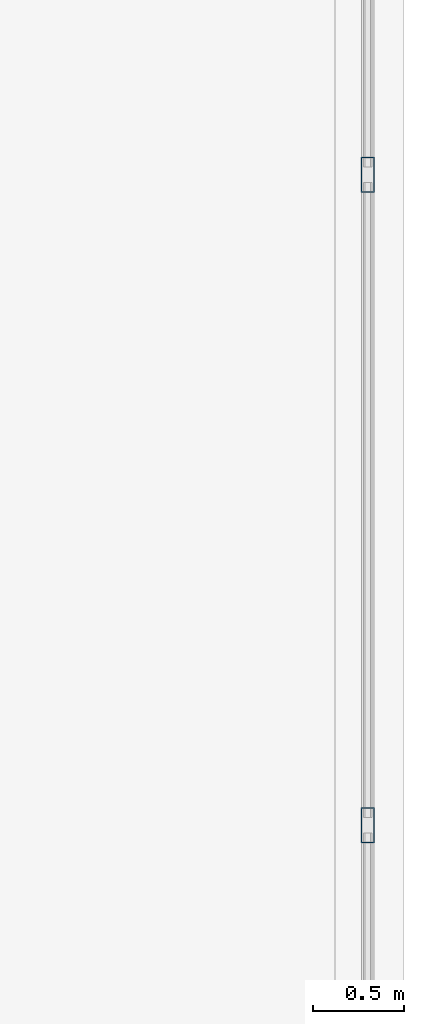
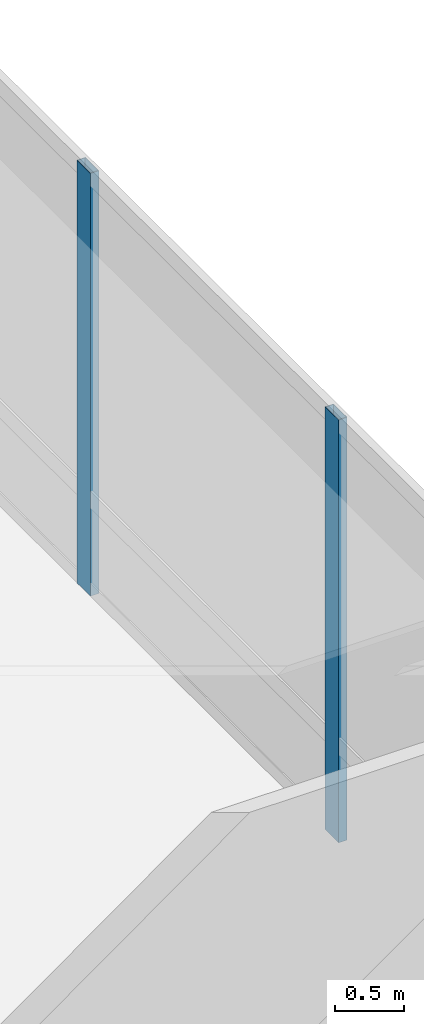
# One storey, part 16 of 35: 2 members, 1 element without a shape of its own.
"""IFC4 building model written with IfcOpenShell, lengths in metres."""

import ifcopenshell
import ifcopenshell.guid

model = None  # the IFC model being written
_history = None  # IfcOwnerHistory: only IFC2X3 demands one
_inside = {}  # id of a spatial element -> (the spatial element, [elements in it])
_under = {}  # id of a project, library or spatial element -> (it, [spatial elements below it])
_declared = {}  # id of a project -> (the project, [libraries it declares])
_typed = {}  # id of a type object -> (the type object, [elements of that type])
_made_of = {}  # id of a material, layer set ... -> (it, [elements and type objects made of it])


def new_model(schema):
    """Start an empty IFC model of exactly this schema.

    Asked for "IFC4X3", IfcOpenShell would pick the latest addendum, in which some entities
    have other attributes; the version numbers below select the first issue.
    IFC2X3 requires an IfcOwnerHistory on every rooted entity: one is made here for all.
    """
    global model, _history
    if schema == "IFC4X3":
        model = ifcopenshell.file(schema_version=(4, 3, 0, 0))
    else:
        model = ifcopenshell.file(schema=schema)
    _inside.clear()
    _under.clear()
    _declared.clear()
    _typed.clear()
    _made_of.clear()
    _history = None
    if model.schema == "IFC2X3":
        org = make("IfcOrganization", Name="unknown")
        user = make(
            "IfcPersonAndOrganization",
            ThePerson=make("IfcPerson", FamilyName="unknown"),
            TheOrganization=org,
        )
        app = make(
            "IfcApplication",
            ApplicationDeveloper=org,
            Version="unknown",
            ApplicationFullName="unknown",
            ApplicationIdentifier="unknown",
        )
        _history = make(
            "IfcOwnerHistory",
            OwningUser=user,
            OwningApplication=app,
            ChangeAction="ADDED",
            CreationDate=0,
        )
    return model


def make(cls, **values):
    """One entity of the class cls with the attributes given. An attribute that is None is left unset."""
    return model.create_entity(
        cls, **{name: value for name, value in values.items() if value is not None}
    )


def rooted(cls, **values):
    """An entity with a GlobalId (a new one), such as an element, a storey or a relation."""
    return make(cls, GlobalId=ifcopenshell.guid.new(), OwnerHistory=_history, **values)


def si_unit(unit_type, name, prefix=None):
    """IfcSIUnit, for example si_unit("LENGTHUNIT", "METRE", prefix="MILLI")."""
    return make("IfcSIUnit", UnitType=unit_type, Prefix=prefix, Name=name)


def assignment(units):
    """IfcUnitAssignment: the units of a project."""
    return None if units is None else make("IfcUnitAssignment", Units=units)


def point(xyz):
    """IfcCartesianPoint."""
    return None if xyz is None else make("IfcCartesianPoint", Coordinates=xyz)


def direction(xyz):
    """IfcDirection."""
    return None if xyz is None else make("IfcDirection", DirectionRatios=xyz)


def frame(location, z_axis=None, x_axis=None):
    """IfcAxis2Placement3D, a coordinate frame: its origin and axes. An axis left out is left unset."""
    return make(
        "IfcAxis2Placement3D",
        Location=point(location),
        Axis=direction(z_axis),
        RefDirection=direction(x_axis),
    )


def frame_2d(location, x_axis=None):
    """IfcAxis2Placement2D, a coordinate frame in the plane: its origin and x axis."""
    return make(
        "IfcAxis2Placement2D", Location=point(location), RefDirection=direction(x_axis)
    )


def origin():
    """The frame at (0, 0, 0) with its axes left unset."""
    return frame((0.0, 0.0, 0.0))


def origin_2d():
    """The frame at (0, 0) in the plane with its x axis left unset."""
    return frame_2d((0.0, 0.0))


def place(relative_to, where):
    """IfcLocalPlacement: puts the frame where relative to a parent placement (None: the world)."""
    return make(
        "IfcLocalPlacement", PlacementRelTo=relative_to, RelativePlacement=where
    )


def context(
    kind, dimensions, precision=None, world=None, true_north=None, identifier=None
):
    """IfcGeometricRepresentationContext, for example the 3D "Model" context."""
    return make(
        "IfcGeometricRepresentationContext",
        ContextIdentifier=identifier,
        ContextType=kind,
        CoordinateSpaceDimension=dimensions,
        Precision=precision,
        WorldCoordinateSystem=world,
        TrueNorth=true_north,
    )


def subcontext(parent, identifier, kind, view, scale=None):
    """IfcGeometricRepresentationSubContext, for example "Body" below "Model"."""
    return make(
        "IfcGeometricRepresentationSubContext",
        ContextIdentifier=identifier,
        ContextType=kind,
        ParentContext=parent,
        TargetScale=scale,
        TargetView=view,
    )


def project(units=None, contexts=None):
    """IfcProject with its units and contexts."""
    return rooted(
        "IfcProject",
        Name="project",
        RepresentationContexts=contexts,
        UnitsInContext=assignment(units),
    )


def spatial(cls, under=None, at=None, **own):
    """A site, building, storey or space (cls), placed at a placement, below another one or the project."""
    s = rooted(cls, ObjectPlacement=at, **own)
    if under is not None:
        _under.setdefault(under.id(), (under, []))[1].append(s)
    return s


def profile(cls, at=None, kind="AREA", **sizes):
    """A parametric profile (cls). Its sizes go by their IFC names, for example OverallWidth=200.0."""
    return make(cls, ProfileType=kind, Position=at, **sizes)


def hollow_rectangle(**sizes):
    """IfcRectangleHollowProfileDef."""
    return profile("IfcRectangleHollowProfileDef", **sizes)


def extrude(swept, where, along, depth):
    """IfcExtrudedAreaSolid: the profile swept, set in the frame where, extruded along a direction by depth."""
    return make(
        "IfcExtrudedAreaSolid",
        SweptArea=swept,
        Position=where,
        ExtrudedDirection=direction(along),
        Depth=depth,
    )


def shape(context_of_items, identifier, shape_type, items):
    """IfcShapeRepresentation: the items that make up one representation, for example the "Body"."""
    return make(
        "IfcShapeRepresentation",
        ContextOfItems=context_of_items,
        RepresentationIdentifier=identifier,
        RepresentationType=shape_type,
        Items=items,
    )


def material(Name=None, Category=None):
    """IfcMaterial."""
    return make("IfcMaterial", Name=Name, Category=Category)


def material_profile(
    of_material, cross_section, Name=None, Category=None, Priority=None
):
    """IfcMaterialProfile: a cross section and its material."""
    return make(
        "IfcMaterialProfile",
        Name=Name,
        Material=of_material,
        Profile=cross_section,
        Priority=Priority,
        Category=Category,
    )


def profile_set(profiles, Name=None, composite=None):
    """IfcMaterialProfileSet."""
    return make(
        "IfcMaterialProfileSet",
        Name=Name,
        MaterialProfiles=profiles,
        CompositeProfile=composite,
    )


def made_of(thing, what):
    """Note that an element or type object is made of a material, layer set ...; save() writes the relation."""
    if what is not None:
        _made_of.setdefault(what.id(), (what, []))[1].append(thing)
    return thing


def type_object(cls, material=None, **own):
    """A type object (cls), such as IfcWallType, which elements share."""
    return made_of(rooted(cls, **own), material)


def element(
    cls,
    number,
    at=None,
    inside=None,
    cuts=None,
    type_object=None,
    material=None,
    context=None,
    identifier="Body",
    shape_type=None,
    held_by="IfcProductDefinitionShape",
    body=None,
    shapes=None,
    **own,
):
    """One element of the class cls, such as IfcWall. Its Tag is "e" and its number.

    at: its placement. inside: the storey or other place that contains it. cuts: it is an
    opening in that element (IfcRelVoidsElement). A single representation is given by context,
    identifier, shape_type and body (its items); several are given by shapes. held_by: the class
    of the entity that holds the representations. save() writes the other relations.
    """
    e = rooted(cls, Tag="e%d" % number, ObjectPlacement=at, **own)
    if body is not None:
        shapes = [shape(context, identifier, shape_type, body)]
    if shapes is not None:
        e.Representation = make(held_by, Representations=shapes)
    if inside is not None:
        _inside.setdefault(inside.id(), (inside, []))[1].append(e)
    if cuts is not None:
        rooted(
            "IfcRelVoidsElement", RelatingBuildingElement=cuts, RelatedOpeningElement=e
        )
    if type_object is not None:
        _typed.setdefault(type_object.id(), (type_object, []))[1].append(e)
    return made_of(e, material)


def aggregate(whole, parts):
    """IfcRelAggregates: a whole, such as a stair, and the parts it consists of."""
    return rooted("IfcRelAggregates", RelatingObject=whole, RelatedObjects=parts)


def save(model, path):
    """Write the relations noted so far, then the file.

    IfcRelAggregates (storeys below a building ...), IfcRelContainedInSpatialStructure (elements
    in a storey), IfcRelDefinesByType, IfcRelAssociatesMaterial and IfcRelDeclares: one each for
    every whole, place, type object, material and project.
    """
    for whole, parts in _under.values():
        aggregate(whole, parts)
    for where, things in _inside.values():
        rooted(
            "IfcRelContainedInSpatialStructure",
            RelatedElements=things,
            RelatingStructure=where,
        )
    for kind, things in _typed.values():
        rooted("IfcRelDefinesByType", RelatedObjects=things, RelatingType=kind)
    for what, things in _made_of.values():
        rooted("IfcRelAssociatesMaterial", RelatedObjects=things, RelatingMaterial=what)
    for by, libraries in _declared.values():
        rooted("IfcRelDeclares", RelatingContext=by, RelatedDefinitions=libraries)
    model.write(path)


model = new_model("IFC4")

# Units and contexts
model_context = context("Model", 3, precision=1e-05, world=origin(), true_north=direction((0.0, 1.0)))
body_context = subcontext(model_context, "Body", "Model", "MODEL_VIEW")
ifc_project = project(units=[si_unit("LENGTHUNIT", "METRE"), si_unit("AREAUNIT", "SQUARE_METRE"), si_unit("VOLUMEUNIT", "CUBIC_METRE"), si_unit("PLANEANGLEUNIT", "RADIAN"), si_unit("MASSUNIT", "GRAM", prefix="KILO")], contexts=[model_context])

# Site, building, storey
site_placement = place(None, origin())
site = spatial("IfcSite", under=ifc_project, at=site_placement, CompositionType="ELEMENT")
building_placement = place(site_placement, origin())
building = spatial("IfcBuilding", under=site, at=building_placement, Name="Punatoya Terracotta Tower", CompositionType="ELEMENT")
storey_placement = place(building_placement, frame((0.0, 0.0, 232.949951171875)))
storey = spatial("IfcBuildingStorey", under=building, at=storey_placement, Name="L55", CompositionType="ELEMENT", Elevation=232.949951171875)

# Curtain wall, members
ifc_material_1 = material(Name="Aluminium 6063-T6 + Double Low-E Glass", Category="aluminium")
curtain_wall_type = type_object("IfcCurtainWallType", Name="CW-M2", PredefinedType="NOTDEFINED", material=ifc_material_1)
curtain_wall_placement = place(storey_placement, origin())
curtain_wall = element("IfcCurtainWall", 1, at=curtain_wall_placement, inside=storey, type_object=curtain_wall_type, Name="L55 Curtain Wall CW-L55-E04-1", PredefinedType="NOTDEFINED")
ifc_material_2 = material(Name="Aluminium 6063-T6", Category="aluminium")
ifc_material_profile = material_profile(ifc_material_2, hollow_rectangle(XDim=0.072021484375, YDim=0.195068359375, WallThickness=0.00439453125, at=origin_2d()))
ifc_profile_set = profile_set([ifc_material_profile], Name="Aluminium 6063-T6")
member_type = type_object("IfcMemberType", Name="CW-MUL-M2", PredefinedType="MULLION", material=ifc_profile_set)
member_1_placement = place(storey_placement, frame((24.85009765625, -13.2626953125, 0.0), z_axis=(0.0, 0.0, 1.0), x_axis=(1.0, 0.0, 0.0)))
member_1 = element("IfcMember", 2, at=member_1_placement, type_object=member_type, Name="CW-L55-E04-1 Mullion 01", PredefinedType="MULLION", context=body_context, shape_type="SweptSolid", body=[
    extrude(hollow_rectangle(XDim=0.072021484375, YDim=0.195068359375, WallThickness=0.00439453125, at=origin_2d()), origin(), (0.0, 0.0, 1.0), 3.72998046875),
])
member_2_placement = place(storey_placement, frame((24.85009765625, -9.675048828125, 0.0), z_axis=(0.0, 0.0, 1.0), x_axis=(1.0, 0.0, 0.0)))
member_2 = element("IfcMember", 3, at=member_2_placement, type_object=member_type, Name="CW-L55-E04-1 Mullion 02", PredefinedType="MULLION", context=body_context, shape_type="SweptSolid", body=[
    extrude(hollow_rectangle(XDim=0.072021484375, YDim=0.195068359375, WallThickness=0.00439453125, at=origin_2d()), origin(), (0.0, 0.0, 1.0), 3.72998046875),
])
aggregate(curtain_wall, [member_1, member_2])

save(model, "model.ifc")
